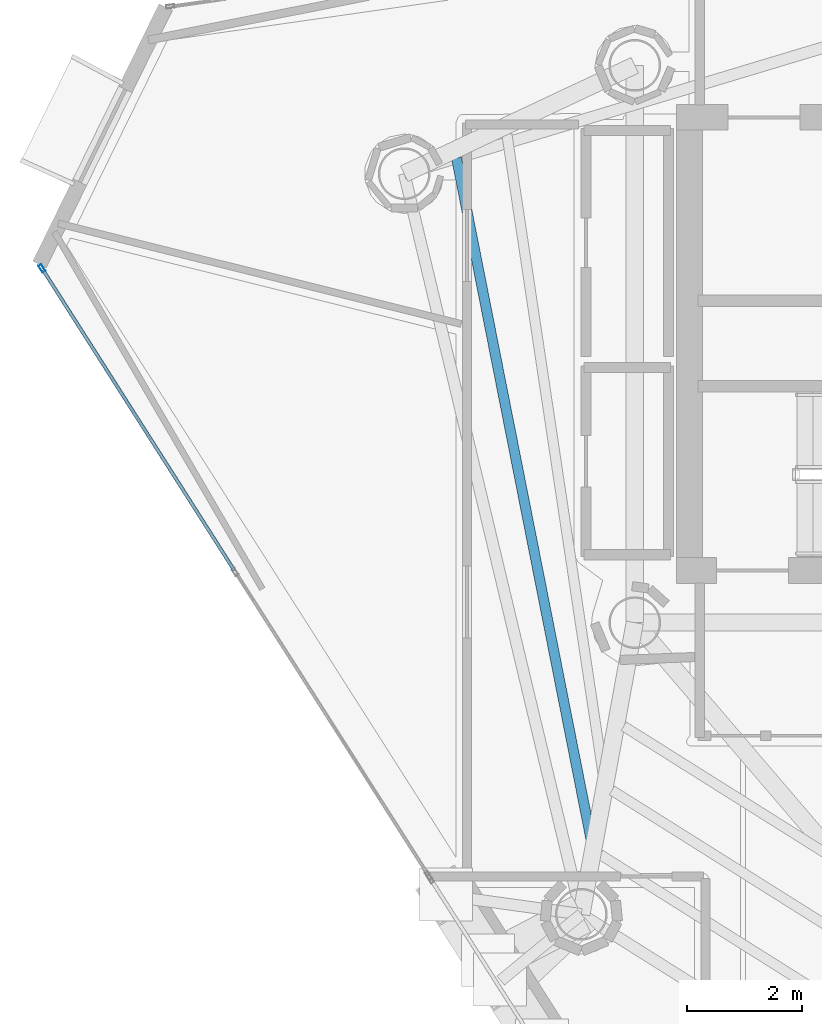
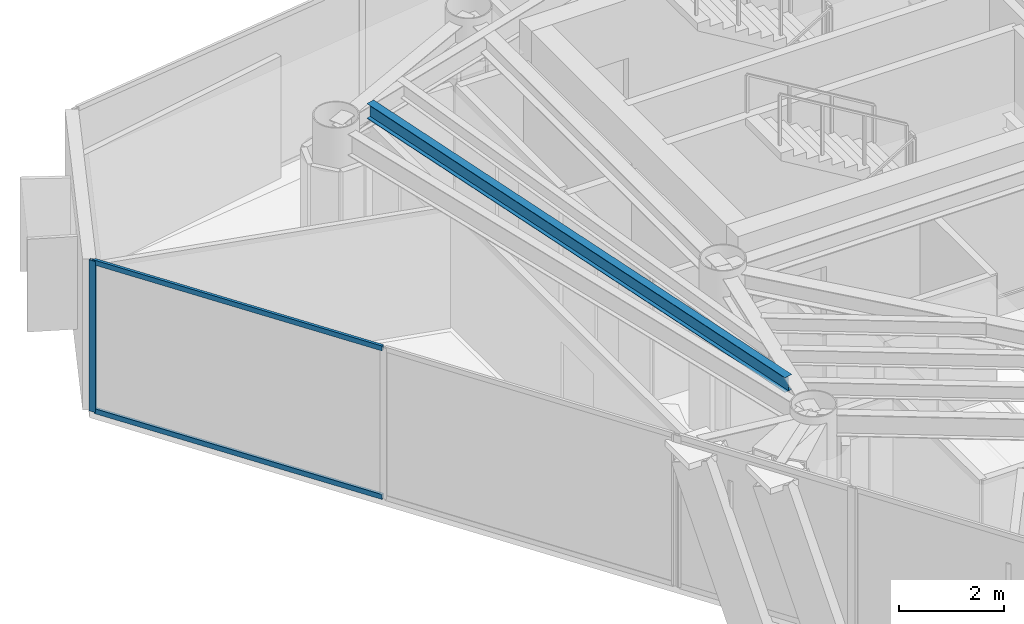
# One storey, part 9 of 25: 3 members, 1 beam, 1 element without a shape of its own.
"""IFC4 building model written with IfcOpenShell, lengths in metres."""

from ifc_helpers import new_model, si_unit, direction, frame, origin, origin_2d, place, context, subcontext, project, spatial, hollow_rectangle, i_section, extrude, material, layer, layer_set, material_profile, profile_set, type_object, element, aggregate, save


model = new_model("IFC4")

# Units and contexts
model_context = context("Model", 3, precision=1e-05, world=origin(), true_north=direction((0.0, 1.0)))
body_context = subcontext(model_context, "Body", "Model", "MODEL_VIEW")
ifc_project = project(units=[si_unit("LENGTHUNIT", "METRE"), si_unit("AREAUNIT", "SQUARE_METRE"), si_unit("VOLUMEUNIT", "CUBIC_METRE"), si_unit("PLANEANGLEUNIT", "RADIAN"), si_unit("MASSUNIT", "GRAM", prefix="KILO")], contexts=[model_context])

# Site, building, storey
site_placement = place(None, origin())
site = spatial("IfcSite", under=ifc_project, at=site_placement, CompositionType="ELEMENT")
building_placement = place(site_placement, origin())
building = spatial("IfcBuilding", under=site, at=building_placement, Name="Qianvela Tower", CompositionType="ELEMENT")
storey_placement = place(building_placement, frame((0.0, 0.0, 295.39990234375)))
storey = spatial("IfcBuildingStorey", under=building, at=storey_placement, Name="L76", CompositionType="ELEMENT", Elevation=295.39990234375)

# Beam
ifc_material_1 = material(Name="Steel Q355B", Category="steel")
ifc_material_profile_1 = material_profile(ifc_material_1, i_section(OverallWidth=0.175048828125, OverallDepth=0.35009765625, WebThickness=0.007080078125, FlangeThickness=0.010986328125, at=origin_2d()), Name="HN350x175x7x11")
ifc_profile_set_1 = profile_set([ifc_material_profile_1], Name="Steel Q355B")
beam_type = type_object("IfcBeamType", Name="BM-HN350-JOIST", PredefinedType="JOIST", material=ifc_profile_set_1)
beam_placement = place(storey_placement, frame((25.498046875, 31.934814453125, 3.343017578125), z_axis=(0.193576445355, -0.981085194977, 0.0), x_axis=(0.981085194977, 0.193576445355, 0.0)))
element("IfcBeam", 1, at=beam_placement, inside=storey, type_object=beam_type, Name="L76 Secondary Composite Floor Joist 3.3", PredefinedType="JOIST", context=body_context, shape_type="SweptSolid", body=[
    extrude(i_section(OverallWidth=0.175048828125, OverallDepth=0.35009765625, WebThickness=0.007080078125, FlangeThickness=0.010986328125, at=origin_2d()), origin(), (0.0, 0.0, 1.0), 12.13037109375),
])

# Curtain wall, members
ifc_material_2 = material(Name="Anodised Architectural Aluminium and Low-E Glass", Category="aluminium")
ifc_layer = layer(ifc_material_2, 0.14990234375)
ifc_layer_set = layer_set([ifc_layer], Name="Anodised Architectural Aluminium and Low-E Glass")
curtain_wall_type = type_object("IfcCurtainWallType", Name="CW-COLIV-Z78", PredefinedType="USERDEFINED", material=ifc_layer_set)
curtain_wall_placement = place(storey_placement, origin())
curtain_wall = element("IfcCurtainWall", 2, at=curtain_wall_placement, inside=storey, type_object=curtain_wall_type, Name="L76 CW-COLIV-Z78 Curtain Wall 04A", ObjectType="CURTAIN_WALL_SYSTEM", PredefinedType="USERDEFINED")
ifc_material_3 = material(Name="Anodised Architectural Aluminium 6063-T6", Category="aluminium")
ifc_material_profile_2 = material_profile(ifc_material_3, hollow_rectangle(XDim=0.06005859375, YDim=0.139892578125, WallThickness=0.00439453125, at=origin_2d()), Name="ALU-MULL-60x140")
ifc_profile_set_2 = profile_set([ifc_material_profile_2], Name="Anodised Architectural Aluminium 6063-T6")
member_type_1 = type_object("IfcMemberType", Name="CW-COLIV-Z78-MULL", PredefinedType="MULLION", material=ifc_profile_set_2)
member_1_placement = place(storey_placement, frame((18.28125, 30.015869140625, 0.0), z_axis=(0.0, 0.0, 1.0), x_axis=(0.843577423445, 0.537007570388, 0.0)))
member_1 = element("IfcMember", 3, at=member_1_placement, type_object=member_type_1, Name="CW-6 mullion 1", PredefinedType="MULLION", context=body_context, shape_type="SweptSolid", body=[
    extrude(hollow_rectangle(XDim=0.06005859375, YDim=0.139892578125, WallThickness=0.00439453125, at=origin_2d()), origin(), (0.0, 0.0, 1.0), 3.52001953125),
])
ifc_material_4 = material(Name="Anodised Architectural Aluminium 6063-T6", Category="aluminium")
ifc_material_profile_3 = material_profile(ifc_material_4, hollow_rectangle(XDim=0.06005859375, YDim=0.114990234375, WallThickness=0.00390625, at=origin_2d()), Name="ALU-TRAN-60x115")
ifc_profile_set_3 = profile_set([ifc_material_profile_3], Name="Anodised Architectural Aluminium 6063-T6")
member_type_2 = type_object("IfcMemberType", Name="CW-COLIV-Z78-TRAN", PredefinedType="USERDEFINED", material=ifc_profile_set_3)
member_2_placement = place(storey_placement, frame((18.29736328125, 29.990478515625, 0.030029296875), z_axis=(0.537025690626, -0.843565888125, 0.0), x_axis=(0.843565888125, 0.537025690626, 0.0)))
member_2 = element("IfcMember", 4, at=member_2_placement, type_object=member_type_2, Name="CW-6 transom 1.1", ObjectType="TRANSOM", PredefinedType="USERDEFINED", context=body_context, shape_type="SweptSolid", body=[
    extrude(hollow_rectangle(XDim=0.06005859375, YDim=0.114990234375, WallThickness=0.00390625, at=origin_2d()), origin(), (0.0, 0.0, 1.0), 6.205078125),
])
member_3_placement = place(storey_placement, frame((18.29736328125, 29.990478515625, 3.489990234375), z_axis=(0.537025690626, -0.843565888125, 0.0), x_axis=(0.843565888125, 0.537025690626, 0.0)))
member_3 = element("IfcMember", 5, at=member_3_placement, type_object=member_type_2, Name="CW-6 transom 1.2", ObjectType="TRANSOM", PredefinedType="USERDEFINED", context=body_context, shape_type="SweptSolid", body=[
    extrude(hollow_rectangle(XDim=0.06005859375, YDim=0.114990234375, WallThickness=0.00390625, at=origin_2d()), origin(), (0.0, 0.0, 1.0), 6.205078125),
])
aggregate(curtain_wall, [member_1, member_2, member_3])

save(model, "model.ifc")
